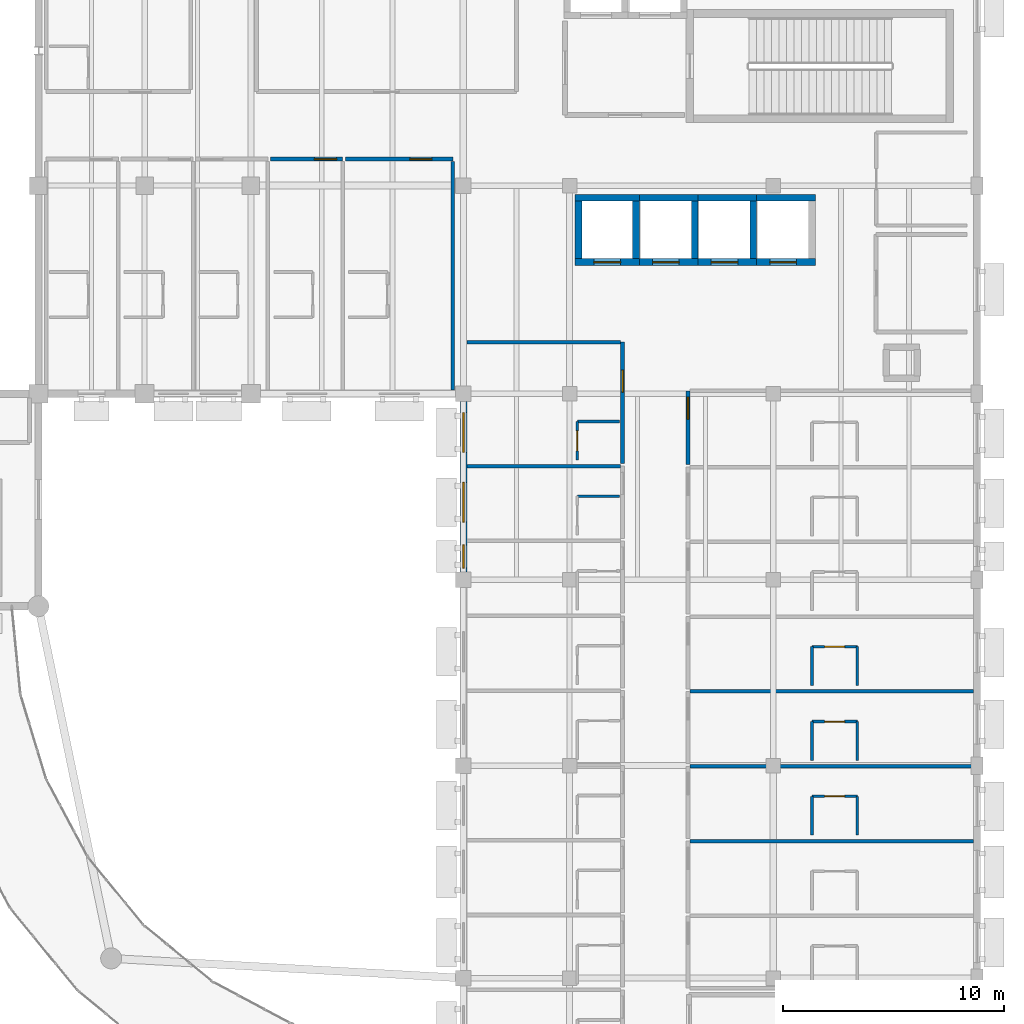
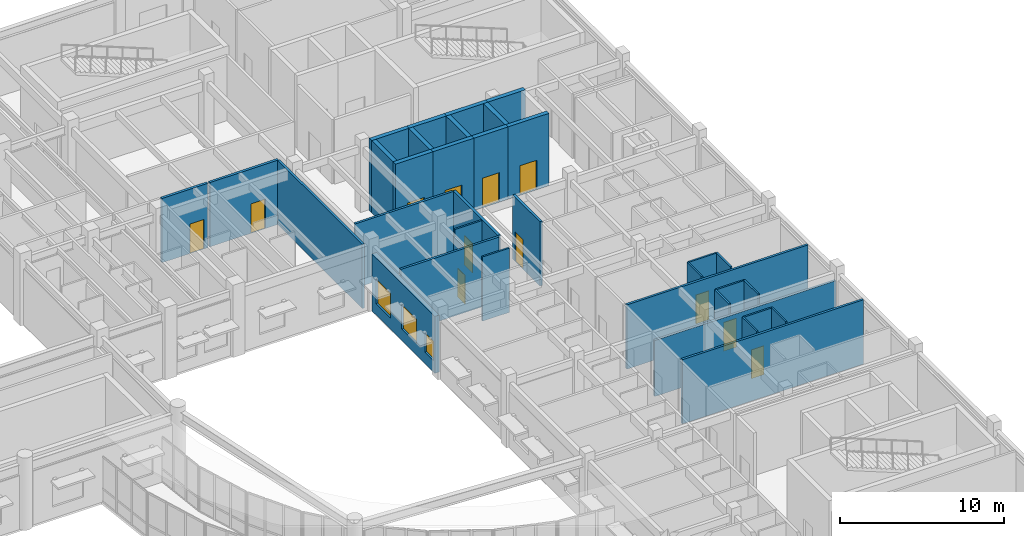
# One storey, part 54 of 68: 35 walls, 12 doors, 3 windows, 15 openings.
"""IFC4 building model written with IfcOpenShell, lengths in metres."""

import ifcopenshell
import ifcopenshell.guid

model = None  # the IFC model being written
_history = None  # IfcOwnerHistory: only IFC2X3 demands one
_inside = {}  # id of a spatial element -> (the spatial element, [elements in it])
_under = {}  # id of a project, library or spatial element -> (it, [spatial elements below it])
_declared = {}  # id of a project -> (the project, [libraries it declares])
_typed = {}  # id of a type object -> (the type object, [elements of that type])
_made_of = {}  # id of a material, layer set ... -> (it, [elements and type objects made of it])


def new_model(schema):
    """Start an empty IFC model of exactly this schema.

    Asked for "IFC4X3", IfcOpenShell would pick the latest addendum, in which some entities
    have other attributes; the version numbers below select the first issue.
    IFC2X3 requires an IfcOwnerHistory on every rooted entity: one is made here for all.
    """
    global model, _history
    if schema == "IFC4X3":
        model = ifcopenshell.file(schema_version=(4, 3, 0, 0))
    else:
        model = ifcopenshell.file(schema=schema)
    _inside.clear()
    _under.clear()
    _declared.clear()
    _typed.clear()
    _made_of.clear()
    _history = None
    if model.schema == "IFC2X3":
        org = make("IfcOrganization", Name="unknown")
        user = make(
            "IfcPersonAndOrganization",
            ThePerson=make("IfcPerson", FamilyName="unknown"),
            TheOrganization=org,
        )
        app = make(
            "IfcApplication",
            ApplicationDeveloper=org,
            Version="unknown",
            ApplicationFullName="unknown",
            ApplicationIdentifier="unknown",
        )
        _history = make(
            "IfcOwnerHistory",
            OwningUser=user,
            OwningApplication=app,
            ChangeAction="ADDED",
            CreationDate=0,
        )
    return model


def make(cls, **values):
    """One entity of the class cls with the attributes given. An attribute that is None is left unset."""
    return model.create_entity(
        cls, **{name: value for name, value in values.items() if value is not None}
    )


def rooted(cls, **values):
    """An entity with a GlobalId (a new one), such as an element, a storey or a relation."""
    return make(cls, GlobalId=ifcopenshell.guid.new(), OwnerHistory=_history, **values)


def si_unit(unit_type, name, prefix=None):
    """IfcSIUnit, for example si_unit("LENGTHUNIT", "METRE", prefix="MILLI")."""
    return make("IfcSIUnit", UnitType=unit_type, Prefix=prefix, Name=name)


def assignment(units):
    """IfcUnitAssignment: the units of a project."""
    return None if units is None else make("IfcUnitAssignment", Units=units)


def point(xyz):
    """IfcCartesianPoint."""
    return None if xyz is None else make("IfcCartesianPoint", Coordinates=xyz)


def direction(xyz):
    """IfcDirection."""
    return None if xyz is None else make("IfcDirection", DirectionRatios=xyz)


def frame(location, z_axis=None, x_axis=None):
    """IfcAxis2Placement3D, a coordinate frame: its origin and axes. An axis left out is left unset."""
    return make(
        "IfcAxis2Placement3D",
        Location=point(location),
        Axis=direction(z_axis),
        RefDirection=direction(x_axis),
    )


def frame_2d(location, x_axis=None):
    """IfcAxis2Placement2D, a coordinate frame in the plane: its origin and x axis."""
    return make(
        "IfcAxis2Placement2D", Location=point(location), RefDirection=direction(x_axis)
    )


def origin():
    """The frame at (0, 0, 0) with its axes left unset."""
    return frame((0.0, 0.0, 0.0))


def place(relative_to, where):
    """IfcLocalPlacement: puts the frame where relative to a parent placement (None: the world)."""
    return make(
        "IfcLocalPlacement", PlacementRelTo=relative_to, RelativePlacement=where
    )


def context(
    kind, dimensions, precision=None, world=None, true_north=None, identifier=None
):
    """IfcGeometricRepresentationContext, for example the 3D "Model" context."""
    return make(
        "IfcGeometricRepresentationContext",
        ContextIdentifier=identifier,
        ContextType=kind,
        CoordinateSpaceDimension=dimensions,
        Precision=precision,
        WorldCoordinateSystem=world,
        TrueNorth=true_north,
    )


def subcontext(parent, identifier, kind, view, scale=None):
    """IfcGeometricRepresentationSubContext, for example "Body" below "Model"."""
    return make(
        "IfcGeometricRepresentationSubContext",
        ContextIdentifier=identifier,
        ContextType=kind,
        ParentContext=parent,
        TargetScale=scale,
        TargetView=view,
    )


def project(units=None, contexts=None):
    """IfcProject with its units and contexts."""
    return rooted(
        "IfcProject",
        Name="project",
        RepresentationContexts=contexts,
        UnitsInContext=assignment(units),
    )


def spatial(cls, under=None, at=None, **own):
    """A site, building, storey or space (cls), placed at a placement, below another one or the project."""
    s = rooted(cls, ObjectPlacement=at, **own)
    if under is not None:
        _under.setdefault(under.id(), (under, []))[1].append(s)
    return s


def profile(cls, at=None, kind="AREA", **sizes):
    """A parametric profile (cls). Its sizes go by their IFC names, for example OverallWidth=200.0."""
    return make(cls, ProfileType=kind, Position=at, **sizes)


def rectangle(**sizes):
    """IfcRectangleProfileDef."""
    return profile("IfcRectangleProfileDef", **sizes)


def extrude(swept, where, along, depth):
    """IfcExtrudedAreaSolid: the profile swept, set in the frame where, extruded along a direction by depth."""
    return make(
        "IfcExtrudedAreaSolid",
        SweptArea=swept,
        Position=where,
        ExtrudedDirection=direction(along),
        Depth=depth,
    )


def shape(context_of_items, identifier, shape_type, items):
    """IfcShapeRepresentation: the items that make up one representation, for example the "Body"."""
    return make(
        "IfcShapeRepresentation",
        ContextOfItems=context_of_items,
        RepresentationIdentifier=identifier,
        RepresentationType=shape_type,
        Items=items,
    )


def material(Name=None, Category=None):
    """IfcMaterial."""
    return make("IfcMaterial", Name=Name, Category=Category)


def layer(
    of_material, thickness, ventilated=None, Name=None, Category=None, Priority=None
):
    """IfcMaterialLayer: one layer of a wall or slab, of a material (None: an air gap)."""
    return make(
        "IfcMaterialLayer",
        Material=of_material,
        LayerThickness=thickness,
        IsVentilated=ventilated,
        Name=Name,
        Category=Category,
        Priority=Priority,
    )


def layer_set(layers, Name=None):
    """IfcMaterialLayerSet."""
    return make("IfcMaterialLayerSet", MaterialLayers=layers, LayerSetName=Name)


def made_of(thing, what):
    """Note that an element or type object is made of a material, layer set ...; save() writes the relation."""
    if what is not None:
        _made_of.setdefault(what.id(), (what, []))[1].append(thing)
    return thing


def type_object(cls, material=None, **own):
    """A type object (cls), such as IfcWallType, which elements share."""
    return made_of(rooted(cls, **own), material)


def element(
    cls,
    number,
    at=None,
    inside=None,
    cuts=None,
    type_object=None,
    material=None,
    context=None,
    identifier="Body",
    shape_type=None,
    held_by="IfcProductDefinitionShape",
    body=None,
    shapes=None,
    **own,
):
    """One element of the class cls, such as IfcWall. Its Tag is "e" and its number.

    at: its placement. inside: the storey or other place that contains it. cuts: it is an
    opening in that element (IfcRelVoidsElement). A single representation is given by context,
    identifier, shape_type and body (its items); several are given by shapes. held_by: the class
    of the entity that holds the representations. save() writes the other relations.
    """
    e = rooted(cls, Tag="e%d" % number, ObjectPlacement=at, **own)
    if body is not None:
        shapes = [shape(context, identifier, shape_type, body)]
    if shapes is not None:
        e.Representation = make(held_by, Representations=shapes)
    if inside is not None:
        _inside.setdefault(inside.id(), (inside, []))[1].append(e)
    if cuts is not None:
        rooted(
            "IfcRelVoidsElement", RelatingBuildingElement=cuts, RelatedOpeningElement=e
        )
    if type_object is not None:
        _typed.setdefault(type_object.id(), (type_object, []))[1].append(e)
    return made_of(e, material)


def fill(opening, filler):
    """IfcRelFillsElement: the door or window that sits in an opening."""
    return rooted(
        "IfcRelFillsElement",
        RelatingOpeningElement=opening,
        RelatedBuildingElement=filler,
    )


def aggregate(whole, parts):
    """IfcRelAggregates: a whole, such as a stair, and the parts it consists of."""
    return rooted("IfcRelAggregates", RelatingObject=whole, RelatedObjects=parts)


def save(model, path):
    """Write the relations noted so far, then the file.

    IfcRelAggregates (storeys below a building ...), IfcRelContainedInSpatialStructure (elements
    in a storey), IfcRelDefinesByType, IfcRelAssociatesMaterial and IfcRelDeclares: one each for
    every whole, place, type object, material and project.
    """
    for whole, parts in _under.values():
        aggregate(whole, parts)
    for where, things in _inside.values():
        rooted(
            "IfcRelContainedInSpatialStructure",
            RelatedElements=things,
            RelatingStructure=where,
        )
    for kind, things in _typed.values():
        rooted("IfcRelDefinesByType", RelatedObjects=things, RelatingType=kind)
    for what, things in _made_of.values():
        rooted("IfcRelAssociatesMaterial", RelatedObjects=things, RelatingMaterial=what)
    for by, libraries in _declared.values():
        rooted("IfcRelDeclares", RelatingContext=by, RelatedDefinitions=libraries)
    model.write(path)


model = new_model("IFC4")

# Units and contexts
model_context = context("Model", 3, precision=1e-05, world=origin(), true_north=direction((0.0, 1.0)))
body_context = subcontext(model_context, "Body", "Model", "MODEL_VIEW")
ifc_project = project(units=[si_unit("LENGTHUNIT", "METRE"), si_unit("AREAUNIT", "SQUARE_METRE"), si_unit("VOLUMEUNIT", "CUBIC_METRE"), si_unit("PLANEANGLEUNIT", "RADIAN"), si_unit("MASSUNIT", "GRAM", prefix="KILO")], contexts=[model_context])

# Site, building, storey
site_placement = place(None, origin())
site = spatial("IfcSite", under=ifc_project, at=site_placement, CompositionType="ELEMENT")
building_placement = place(site_placement, origin())
building = spatial("IfcBuilding", under=site, at=building_placement, Name="Veldera Park Congress Hotel", CompositionType="ELEMENT")
storey_placement = place(building_placement, frame((0.0, 0.0, 10.800048828125)))
storey = spatial("IfcBuildingStorey", under=building, at=storey_placement, Name="L02", CompositionType="ELEMENT", Elevation=10.800048828125)

# Wall, openings, windows
ifc_material_1 = material(Name="Cross-laminated timber CLT V2M1.1", Category="wood")
ifc_layer_1 = layer(ifc_material_1, 0.320068359375)
ifc_layer_set_1 = layer_set([ifc_layer_1], Name="Cross-laminated timber CLT V2M1.1")
wall_type_1 = type_object("IfcWallType", Name="EW-CLT320", PredefinedType="STANDARD", material=ifc_layer_set_1)
wall_1_placement = place(storey_placement, frame((60.800048828125, 26.652099609375, 0.0), z_axis=(0.0, 0.0, 1.0), x_axis=(0.0, -1.0, 0.0)))
wall_1 = element("IfcWall", 1, at=wall_1_placement, inside=storey, type_object=wall_type_1, Name="L02 Exterior Wall EW3-L02-0198", PredefinedType="STANDARD", context=body_context, shape_type="SweptSolid", body=[
    extrude(rectangle(XDim=7.7041015625, YDim=0.320068359375, at=frame_2d((3.85205078125, 0.0))), origin(), (0.0, 0.0, 1.0), 4.2548828125),
])
opening_1_placement = place(wall_1_placement, frame((6.47802734375, 0.0, 0.85009765625)))
opening_1 = element("IfcOpeningElement", 2, at=opening_1_placement, cuts=wall_1, Name="Opening WIN-1050", PredefinedType="OPENING", context=body_context, shape_type="SweptSolid", body=[
    extrude(rectangle(XDim=1.050048828125, YDim=1.449951171875, at=frame_2d((0.52490234375, 0.72509765625))), frame((0.0, 0.172119140625, 0.0), z_axis=(0.0, -1.0, 0.0), x_axis=(1.0, 0.0, 0.0)), (0.0, 0.0, 1.0), 0.343994140625),
])
opening_2_placement = place(wall_1_placement, frame((3.652099609375, 0.0, 0.85009765625)))
opening_2 = element("IfcOpeningElement", 3, at=opening_2_placement, cuts=wall_1, Name="Opening WIN-1800", PredefinedType="OPENING", context=body_context, shape_type="SweptSolid", body=[
    extrude(rectangle(XDim=1.800048828125, YDim=1.85009765625, at=frame_2d((0.89990234375, 0.925048828125))), frame((0.0, 0.172119140625, 0.0), z_axis=(0.0, -1.0, 0.0), x_axis=(1.0, 0.0, 0.0)), (0.0, 0.0, 1.0), 0.343994140625),
])
opening_3_placement = place(wall_1_placement, frame((0.5009765625, 0.0, 0.85009765625)))
opening_3 = element("IfcOpeningElement", 4, at=opening_3_placement, cuts=wall_1, Name="Opening WIN-1800", PredefinedType="OPENING", context=body_context, shape_type="SweptSolid", body=[
    extrude(rectangle(XDim=1.800048828125, YDim=1.85009765625, at=frame_2d((0.89990234375, 0.925048828125))), frame((0.0, 0.172119140625, 0.0), z_axis=(0.0, -1.0, 0.0), x_axis=(1.0, 0.0, 0.0)), (0.0, 0.0, 1.0), 0.343994140625),
])
ifc_material_2 = material(Name="Low-E Triple Insulating Glass Unit (SHGC 0.22)", Category="glass")
window_type_1 = type_object("IfcWindowType", Name="WIN-1050", PartitioningType="SINGLE_PANEL", PredefinedType="WINDOW", material=ifc_material_2)
window_1_placement = place(opening_1_placement, origin())
window_1 = element("IfcWindow", 5, at=window_1_placement, inside=storey, type_object=window_type_1, Name="L02 Window WIN-1050 374", OverallHeight=1.449951171875, OverallWidth=1.050048828125, PartitioningType="SINGLE_PANEL", PredefinedType="WINDOW", context=body_context, shape_type="SweptSolid", body=[
    extrude(rectangle(XDim=1.050048828125, YDim=1.449951171875, at=frame_2d((0.52490234375, 0.72509765625))), frame((0.0, 0.030029296875, 0.0), z_axis=(0.0, -1.0, 0.0), x_axis=(1.0, 0.0, 0.0)), (0.0, 0.0, 1.0), 0.06005859375),
])
fill(opening_1, window_1)
window_type_2 = type_object("IfcWindowType", Name="WIN-1800", PartitioningType="SINGLE_PANEL", PredefinedType="WINDOW", material=ifc_material_2)
window_2_placement = place(opening_2_placement, origin())
window_2 = element("IfcWindow", 6, at=window_2_placement, inside=storey, type_object=window_type_2, Name="L02 Window WIN-1800 375", OverallHeight=1.85009765625, OverallWidth=1.800048828125, PartitioningType="SINGLE_PANEL", PredefinedType="WINDOW", context=body_context, shape_type="SweptSolid", body=[
    extrude(rectangle(XDim=1.800048828125, YDim=1.85009765625, at=frame_2d((0.89990234375, 0.925048828125))), frame((0.0, 0.030029296875, 0.0), z_axis=(0.0, -1.0, 0.0), x_axis=(1.0, 0.0, 0.0)), (0.0, 0.0, 1.0), 0.06005859375),
])
fill(opening_2, window_2)
window_3_placement = place(opening_3_placement, origin())
window_3 = element("IfcWindow", 7, at=window_3_placement, inside=storey, type_object=window_type_2, Name="L02 Window WIN-1800 376", OverallHeight=1.85009765625, OverallWidth=1.800048828125, PartitioningType="SINGLE_PANEL", PredefinedType="WINDOW", context=body_context, shape_type="SweptSolid", body=[
    extrude(rectangle(XDim=1.800048828125, YDim=1.85009765625, at=frame_2d((0.89990234375, 0.925048828125))), frame((0.0, 0.030029296875, 0.0), z_axis=(0.0, -1.0, 0.0), x_axis=(1.0, 0.0, 0.0)), (0.0, 0.0, 1.0), 0.06005859375),
])
fill(opening_3, window_3)

# Wall
ifc_material_3 = material(Name="Fire-Rated Gypsum Board on Cold-Formed Steel Studs", Category="steel")
ifc_layer_2 = layer(ifc_material_3, 0.1201171875)
ifc_layer_set_2 = layer_set([ifc_layer_2], Name="Fire-Rated Gypsum Board on Cold-Formed Steel Studs")
wall_type_2 = type_object("IfcWallType", Name="IW-BATH120", PredefinedType="PARTITIONING", material=ifc_layer_set_2)
wall_2_placement = place(storey_placement, frame((65.949951171875, 22.3701171875, 0.0), z_axis=(0.0, 0.0, 1.0), x_axis=(1.0, 0.0, 0.0)))
element("IfcWall", 8, at=wall_2_placement, inside=storey, type_object=wall_type_2, Name="L02 Partition Wall IW3-L02-00443", PredefinedType="PARTITIONING", context=body_context, shape_type="SweptSolid", body=[
    extrude(rectangle(XDim=1.900146484375, YDim=0.1201171875, at=frame_2d((0.9501953125, 0.0))), origin(), (0.0, 0.0, 1.0), 4.800048828125),
])

# Wall, opening, door
wall_3_placement = place(storey_placement, frame((65.949951171875, 24.0, 0.0), z_axis=(0.0, 0.0, 1.0), x_axis=(0.0, 1.0, 0.0)))
wall_3 = element("IfcWall", 9, at=wall_3_placement, inside=storey, type_object=wall_type_2, Name="L02 Partition Wall IW3-L02-00446", PredefinedType="PARTITIONING", context=body_context, shape_type="SweptSolid", body=[
    extrude(rectangle(XDim=1.75, YDim=0.1201171875, at=frame_2d((0.875, 0.0))), origin(), (0.0, 0.0, 1.0), 4.2548828125),
])
opening_4_placement = place(wall_3_placement, frame((0.425048828125, 0.0, 0.0)))
opening_4 = element("IfcOpeningElement", 10, at=opening_4_placement, cuts=wall_3, Name="Opening ID-BATH090", PredefinedType="OPENING", context=body_context, shape_type="SweptSolid", body=[
    extrude(rectangle(XDim=0.89990234375, YDim=2.14990234375, at=frame_2d((0.449951171875, 1.074951171875))), frame((0.0, 0.072021484375, 0.0), z_axis=(0.0, -1.0, 0.0), x_axis=(1.0, 0.0, 0.0)), (0.0, 0.0, 1.0), 0.14404296875),
])
ifc_material_4 = material(Name="Solid Core White Oak Architectural Door", Category="wood")
door_type_1 = type_object("IfcDoorType", Name="ID-BATH090", OperationType="NOTDEFINED", PredefinedType="DOOR", material=ifc_material_4)
door_1_placement = place(opening_4_placement, origin())
door_1 = element("IfcDoor", 11, at=door_1_placement, inside=storey, type_object=door_type_1, Name="L02 En-suite 021 Door ID3-L02-0181 (DR3-ID3-L02-0181)", OperationType="SINGLE_SWING_LEFT", OverallHeight=2.14990234375, OverallWidth=0.89990234375, PredefinedType="DOOR", context=body_context, shape_type="SweptSolid", body=[
    extrude(rectangle(XDim=0.89990234375, YDim=2.14990234375, at=frame_2d((0.449951171875, 1.074951171875))), frame((0.0, 0.02490234375, 0.0), z_axis=(0.0, -1.0, 0.0), x_axis=(1.0, 0.0, 0.0)), (0.0, 0.0, 1.0), 0.050048828125),
])
fill(opening_4, door_1)

# Walls
wall_4_placement = place(storey_placement, frame((65.949951171875, 25.75, 0.0), z_axis=(0.0, 0.0, 1.0), x_axis=(1.0, 0.0, 0.0)))
element("IfcWall", 12, at=wall_4_placement, inside=storey, type_object=wall_type_2, Name="L02 Partition Wall IW3-L02-00447", PredefinedType="PARTITIONING", context=body_context, shape_type="SweptSolid", body=[
    extrude(rectangle(XDim=1.900146484375, YDim=0.1201171875, at=frame_2d((0.9501953125, 0.0))), origin(), (0.0, 0.0, 1.0), 4.800048828125),
])
for number, where, z_axis, x_axis, name in (
    (13, (76.550048828125, 7.06005859375, 0.0), (0.0, 0.0, 1.0), (0.0, 1.0, 0.0), "L02 Partition Wall IW3-L02-00517"),
    (14, (78.60009765625, 7.06005859375, 0.0), (0.0, 0.0, 1.0), (0.0, 1.0, 0.0), "L02 Partition Wall IW3-L02-00518"),
):
    element("IfcWall", number, at=place(storey_placement, frame(where, z_axis=z_axis, x_axis=x_axis)), inside=storey, type_object=wall_type_2, Name=name, PredefinedType="PARTITIONING", context=body_context, shape_type="SweptSolid", body=[
        extrude(rectangle(XDim=1.75, YDim=0.1201171875, at=frame_2d((0.875, 0.0))), origin(), (0.0, 0.0, 1.0), 4.800048828125),
    ])

# Wall, opening, door
wall_5_placement = place(storey_placement, frame((76.550048828125, 8.81005859375, 0.0), z_axis=(0.0, 0.0, 1.0), x_axis=(1.0, 0.0, 0.0)))
wall_5 = element("IfcWall", 15, at=wall_5_placement, inside=storey, type_object=wall_type_2, Name="L02 Partition Wall IW3-L02-00519", PredefinedType="PARTITIONING", context=body_context, shape_type="SweptSolid", body=[
    extrude(rectangle(XDim=2.050048828125, YDim=0.1201171875, at=frame_2d((1.02490234375, 0.0))), origin(), (0.0, 0.0, 1.0), 4.800048828125),
])
opening_5_placement = place(wall_5_placement, frame((0.574951171875, 0.0, 0.0)))
opening_5 = element("IfcOpeningElement", 16, at=opening_5_placement, cuts=wall_5, Name="Opening ID-BATH090", PredefinedType="OPENING", context=body_context, shape_type="SweptSolid", body=[
    extrude(rectangle(XDim=0.89990234375, YDim=2.14990234375, at=frame_2d((0.449951171875, 1.074951171875))), frame((0.0, 0.072021484375, 0.0), z_axis=(0.0, -1.0, 0.0), x_axis=(1.0, 0.0, 0.0)), (0.0, 0.0, 1.0), 0.14404296875),
])
door_2_placement = place(opening_5_placement, origin())
door_2 = element("IfcDoor", 17, at=door_2_placement, inside=storey, type_object=door_type_1, Name="L02 En-suite 035 Door ID3-L02-0209 (DR3-ID3-L02-0209)", OperationType="SINGLE_SWING_LEFT", OverallHeight=2.14990234375, OverallWidth=0.89990234375, PredefinedType="DOOR", context=body_context, shape_type="SweptSolid", body=[
    extrude(rectangle(XDim=0.89990234375, YDim=2.14990234375, at=frame_2d((0.449951171875, 1.074951171875))), frame((0.0, 0.02490234375, 0.0), z_axis=(0.0, -1.0, 0.0), x_axis=(1.0, 0.0, 0.0)), (0.0, 0.0, 1.0), 0.050048828125),
])
fill(opening_5, door_2)

# Walls
for number, where, z_axis, x_axis, name in (
    (18, (76.550048828125, 10.43994140625, 0.0), (0.0, 0.0, 1.0), (0.0, 1.0, 0.0), "L02 Partition Wall IW3-L02-00522"),
    (19, (78.60009765625, 10.43994140625, 0.0), (0.0, 0.0, 1.0), (0.0, 1.0, 0.0), "L02 Partition Wall IW3-L02-00523"),
):
    element("IfcWall", number, at=place(storey_placement, frame(where, z_axis=z_axis, x_axis=x_axis)), inside=storey, type_object=wall_type_2, Name=name, PredefinedType="PARTITIONING", context=body_context, shape_type="SweptSolid", body=[
        extrude(rectangle(XDim=1.75, YDim=0.1201171875, at=frame_2d((0.875, 0.0))), origin(), (0.0, 0.0, 1.0), 4.800048828125),
    ])

# Wall, opening, door
wall_6_placement = place(storey_placement, frame((76.550048828125, 12.18994140625, 0.0), z_axis=(0.0, 0.0, 1.0), x_axis=(1.0, 0.0, 0.0)))
wall_6 = element("IfcWall", 20, at=wall_6_placement, inside=storey, type_object=wall_type_2, Name="L02 Partition Wall IW3-L02-00524", PredefinedType="PARTITIONING", context=body_context, shape_type="SweptSolid", body=[
    extrude(rectangle(XDim=2.050048828125, YDim=0.1201171875, at=frame_2d((1.02490234375, 0.0))), origin(), (0.0, 0.0, 1.0), 4.800048828125),
])
opening_6_placement = place(wall_6_placement, frame((0.574951171875, 0.0, 0.0)))
opening_6 = element("IfcOpeningElement", 21, at=opening_6_placement, cuts=wall_6, Name="Opening ID-BATH090", PredefinedType="OPENING", context=body_context, shape_type="SweptSolid", body=[
    extrude(rectangle(XDim=0.89990234375, YDim=2.14990234375, at=frame_2d((0.449951171875, 1.074951171875))), frame((0.0, 0.072021484375, 0.0), z_axis=(0.0, -1.0, 0.0), x_axis=(1.0, 0.0, 0.0)), (0.0, 0.0, 1.0), 0.14404296875),
])
door_3_placement = place(opening_6_placement, origin())
door_3 = element("IfcDoor", 22, at=door_3_placement, inside=storey, type_object=door_type_1, Name="L02 En-suite 036 Door ID3-L02-0211 (DR3-ID3-L02-0211)", OperationType="SINGLE_SWING_LEFT", OverallHeight=2.14990234375, OverallWidth=0.89990234375, PredefinedType="DOOR", context=body_context, shape_type="SweptSolid", body=[
    extrude(rectangle(XDim=0.89990234375, YDim=2.14990234375, at=frame_2d((0.449951171875, 1.074951171875))), frame((0.0, 0.02490234375, 0.0), z_axis=(0.0, -1.0, 0.0), x_axis=(1.0, 0.0, 0.0)), (0.0, 0.0, 1.0), 0.050048828125),
])
fill(opening_6, door_3)

# Walls
for number, where, z_axis, x_axis, name in (
    (23, (76.550048828125, 13.820068359375, 0.0), (0.0, 0.0, 1.0), (0.0, 1.0, 0.0), "L02 Partition Wall IW3-L02-00527"),
    (24, (78.60009765625, 13.820068359375, 0.0), (0.0, 0.0, 1.0), (0.0, 1.0, 0.0), "L02 Partition Wall IW3-L02-00528"),
):
    element("IfcWall", number, at=place(storey_placement, frame(where, z_axis=z_axis, x_axis=x_axis)), inside=storey, type_object=wall_type_2, Name=name, PredefinedType="PARTITIONING", context=body_context, shape_type="SweptSolid", body=[
        extrude(rectangle(XDim=1.75, YDim=0.1201171875, at=frame_2d((0.875, 0.0))), origin(), (0.0, 0.0, 1.0), 4.800048828125),
    ])

# Wall, opening, door
wall_7_placement = place(storey_placement, frame((76.550048828125, 15.570068359375, 0.0), z_axis=(0.0, 0.0, 1.0), x_axis=(1.0, 0.0, 0.0)))
wall_7 = element("IfcWall", 25, at=wall_7_placement, inside=storey, type_object=wall_type_2, Name="L02 Partition Wall IW3-L02-00529", PredefinedType="PARTITIONING", context=body_context, shape_type="SweptSolid", body=[
    extrude(rectangle(XDim=2.050048828125, YDim=0.1201171875, at=frame_2d((1.02490234375, 0.0))), origin(), (0.0, 0.0, 1.0), 4.800048828125),
])
opening_7_placement = place(wall_7_placement, frame((0.574951171875, 0.0, 0.0)))
opening_7 = element("IfcOpeningElement", 26, at=opening_7_placement, cuts=wall_7, Name="Opening ID-BATH090", PredefinedType="OPENING", context=body_context, shape_type="SweptSolid", body=[
    extrude(rectangle(XDim=0.89990234375, YDim=2.14990234375, at=frame_2d((0.449951171875, 1.074951171875))), frame((0.0, 0.072021484375, 0.0), z_axis=(0.0, -1.0, 0.0), x_axis=(1.0, 0.0, 0.0)), (0.0, 0.0, 1.0), 0.14404296875),
])
door_4_placement = place(opening_7_placement, origin())
door_4 = element("IfcDoor", 27, at=door_4_placement, inside=storey, type_object=door_type_1, Name="L02 En-suite 037 Door ID3-L02-0213 (DR3-ID3-L02-0213)", OperationType="SINGLE_SWING_LEFT", OverallHeight=2.14990234375, OverallWidth=0.89990234375, PredefinedType="DOOR", context=body_context, shape_type="SweptSolid", body=[
    extrude(rectangle(XDim=0.89990234375, YDim=2.14990234375, at=frame_2d((0.449951171875, 1.074951171875))), frame((0.0, 0.02490234375, 0.0), z_axis=(0.0, -1.0, 0.0), x_axis=(1.0, 0.0, 0.0)), (0.0, 0.0, 1.0), 0.050048828125),
])
fill(opening_7, door_4)

ifc_layer_3 = layer(ifc_material_3, 0.179931640625)
ifc_layer_set_3 = layer_set([ifc_layer_3], Name="Fire-Rated Gypsum Board on Cold-Formed Steel Studs")
wall_type_3 = type_object("IfcWallType", Name="IW-CORR180", PredefinedType="PARTITIONING", material=ifc_layer_set_3)
wall_8_placement = place(storey_placement, frame((68.0, 23.85009765625, 0.0), z_axis=(0.0, 0.0, 1.0), x_axis=(0.0, 1.0, 0.0)))
wall_8 = element("IfcWall", 28, at=wall_8_placement, inside=storey, type_object=wall_type_3, Name="L02 Corridor Wall IW3-L02-00444", PredefinedType="PARTITIONING", context=body_context, shape_type="SweptSolid", body=[
    extrude(rectangle(XDim=5.47998046875, YDim=0.179931640625, at=frame_2d((2.739990234375, 0.0))), origin(), (0.0, 0.0, 1.0), 4.800048828125),
])
opening_8_placement = place(wall_8_placement, frame((3.219970703125, 0.0, 0.0)))
opening_8 = element("IfcOpeningElement", 29, at=opening_8_placement, cuts=wall_8, Name="Opening ID-UNIT100", PredefinedType="OPENING", context=body_context, shape_type="SweptSolid", body=[
    extrude(rectangle(XDim=1.0, YDim=2.199951171875, at=frame_2d((0.5, 1.10009765625))), frame((0.0, 0.10205078125, 0.0), z_axis=(0.0, -1.0, 0.0), x_axis=(1.0, 0.0, 0.0)), (0.0, 0.0, 1.0), 0.203857421875),
])
door_type_2 = type_object("IfcDoorType", Name="ID-UNIT100", OperationType="NOTDEFINED", PredefinedType="DOOR", material=ifc_material_4)
door_5_placement = place(opening_8_placement, origin())
door_5 = element("IfcDoor", 30, at=door_5_placement, inside=storey, type_object=door_type_2, Name="L02 Guestroom 021 Entry Door (DR3-UD3-L02-021)", OperationType="SINGLE_SWING_RIGHT", OverallHeight=2.199951171875, OverallWidth=1.0, PredefinedType="DOOR", context=body_context, shape_type="SweptSolid", body=[
    extrude(rectangle(XDim=1.0, YDim=2.199951171875, at=frame_2d((0.5, 1.10009765625))), frame((0.0, 0.02490234375, 0.0), z_axis=(0.0, -1.0, 0.0), x_axis=(1.0, 0.0, 0.0)), (0.0, 0.0, 1.0), 0.050048828125),
])
fill(opening_8, door_5)

wall_9_placement = place(storey_placement, frame((70.949951171875, 27.1298828125, 0.0), z_axis=(0.0, 0.0, 1.0), x_axis=(0.0, -1.0, 0.0)))
wall_9 = element("IfcWall", 31, at=wall_9_placement, inside=storey, type_object=wall_type_3, Name="L02 Corridor Wall IW3-L02-00540", PredefinedType="PARTITIONING", context=body_context, shape_type="SweptSolid", body=[
    extrude(rectangle(XDim=3.31982421875, YDim=0.179931640625, at=frame_2d((1.659912109375, 0.0))), origin(), (0.0, 0.0, 1.0), 4.800048828125),
])
opening_9_placement = place(wall_9_placement, frame((0.280029296875, 0.0, 0.0)))
opening_9 = element("IfcOpeningElement", 32, at=opening_9_placement, cuts=wall_9, Name="Opening ID-UNIT100", PredefinedType="OPENING", context=body_context, shape_type="SweptSolid", body=[
    extrude(rectangle(XDim=1.0, YDim=2.199951171875, at=frame_2d((0.5, 1.10009765625))), frame((0.0, 0.10205078125, 0.0), z_axis=(0.0, -1.0, 0.0), x_axis=(1.0, 0.0, 0.0)), (0.0, 0.0, 1.0), 0.203857421875),
])
door_6_placement = place(opening_9_placement, origin())
door_6 = element("IfcDoor", 33, at=door_6_placement, inside=storey, type_object=door_type_2, Name="L02 Guestroom 040 Entry Door (DR3-UD3-L02-040)", OperationType="SINGLE_SWING_RIGHT", OverallHeight=2.199951171875, OverallWidth=1.0, PredefinedType="DOOR", context=body_context, shape_type="SweptSolid", body=[
    extrude(rectangle(XDim=1.0, YDim=2.199951171875, at=frame_2d((0.5, 1.10009765625))), frame((0.0, 0.02490234375, 0.0), z_axis=(0.0, -1.0, 0.0), x_axis=(1.0, 0.0, 0.0)), (0.0, 0.0, 1.0), 0.050048828125),
])
fill(opening_9, door_6)

wall_10_placement = place(storey_placement, frame((55.35009765625, 37.60009765625, 0.0), z_axis=(0.0, 0.0, 1.0), x_axis=(-1.0, 0.0, 0.0)))
wall_10 = element("IfcWall", 34, at=wall_10_placement, inside=storey, type_object=wall_type_3, Name="L02 Corridor Wall IW3-L02-00561", PredefinedType="PARTITIONING", context=body_context, shape_type="SweptSolid", body=[
    extrude(rectangle(XDim=3.260009765625, YDim=0.179931640625, at=frame_2d((1.6298828125, 0.0))), origin(), (0.0, 0.0, 1.0), 4.800048828125),
])
opening_10_placement = place(wall_10_placement, frame((0.280029296875, 0.0, 0.0)))
opening_10 = element("IfcOpeningElement", 35, at=opening_10_placement, cuts=wall_10, Name="Opening ID-UNIT100", PredefinedType="OPENING", context=body_context, shape_type="SweptSolid", body=[
    extrude(rectangle(XDim=1.0, YDim=2.199951171875, at=frame_2d((0.5, 1.10009765625))), frame((0.0, 0.10205078125, 0.0), z_axis=(0.0, -1.0, 0.0), x_axis=(1.0, 0.0, 0.0)), (0.0, 0.0, 1.0), 0.203857421875),
])
door_7_placement = place(opening_10_placement, frame((1.0, 0.0, 0.0), z_axis=(0.0, 0.0, 1.0), x_axis=(-1.0, 0.0, 0.0)))
door_7 = element("IfcDoor", 36, at=door_7_placement, inside=storey, type_object=door_type_2, Name="L02 Guestroom 044 Entry Door (DR3-UD3-L02-044)", OperationType="SINGLE_SWING_RIGHT", OverallHeight=2.199951171875, OverallWidth=1.0, PredefinedType="DOOR", context=body_context, shape_type="SweptSolid", body=[
    extrude(rectangle(XDim=1.0, YDim=2.199951171875, at=frame_2d((0.5, 1.10009765625))), frame((0.0, 0.02490234375, 0.0), z_axis=(0.0, -1.0, 0.0), x_axis=(1.0, 0.0, 0.0)), (0.0, 0.0, 1.0), 0.050048828125),
])
fill(opening_10, door_7)

wall_11_placement = place(storey_placement, frame((60.330078125, 37.60009765625, 0.0), z_axis=(0.0, 0.0, 1.0), x_axis=(-1.0, 0.0, 0.0)))
wall_11 = element("IfcWall", 37, at=wall_11_placement, inside=storey, type_object=wall_type_3, Name="L02 Corridor Wall IW3-L02-00566", PredefinedType="PARTITIONING", context=body_context, shape_type="SweptSolid", body=[
    extrude(rectangle(XDim=4.860107421875, YDim=0.179931640625, at=frame_2d((2.43017578125, 0.0))), origin(), (0.0, 0.0, 1.0), 4.800048828125),
])
opening_11_placement = place(wall_11_placement, frame((0.949951171875, 0.0, 0.0)))
opening_11 = element("IfcOpeningElement", 38, at=opening_11_placement, cuts=wall_11, Name="Opening ID-UNIT100", PredefinedType="OPENING", context=body_context, shape_type="SweptSolid", body=[
    extrude(rectangle(XDim=1.0, YDim=2.199951171875, at=frame_2d((0.5, 1.10009765625))), frame((0.0, 0.10205078125, 0.0), z_axis=(0.0, -1.0, 0.0), x_axis=(1.0, 0.0, 0.0)), (0.0, 0.0, 1.0), 0.203857421875),
])
door_8_placement = place(opening_11_placement, frame((1.0, 0.0, 0.0), z_axis=(0.0, 0.0, 1.0), x_axis=(-1.0, 0.0, 0.0)))
door_8 = element("IfcDoor", 39, at=door_8_placement, inside=storey, type_object=door_type_2, Name="L02 Guestroom 045 Entry Door (DR3-UD3-L02-045)", OperationType="SINGLE_SWING_RIGHT", OverallHeight=2.199951171875, OverallWidth=1.0, PredefinedType="DOOR", context=body_context, shape_type="SweptSolid", body=[
    extrude(rectangle(XDim=1.0, YDim=2.199951171875, at=frame_2d((0.5, 1.10009765625))), frame((0.0, 0.02490234375, 0.0), z_axis=(0.0, -1.0, 0.0), x_axis=(1.0, 0.0, 0.0)), (0.0, 0.0, 1.0), 0.050048828125),
])
fill(opening_11, door_8)

# Walls
ifc_layer_4 = layer(ifc_material_1, 0.159912109375)
ifc_layer_set_4 = layer_set([ifc_layer_4], Name="Cross-laminated timber CLT V2M1.1")
wall_type_4 = type_object("IfcWallType", Name="IW-UNIT160", PredefinedType="PARTITIONING", material=ifc_layer_set_4)
for number, where, z_axis, x_axis, name in (
    (40, (60.9599609375, 23.72998046875, 0.0), (0.0, 0.0, 1.0), (1.0, 0.0, 0.0), "L02 Partition Wall IW3-L02-00441"),
    (41, (60.9599609375, 29.330078125, 0.0), (0.0, 0.0, 1.0), (1.0, 0.0, 0.0), "L02 Partition Wall IW3-L02-00445"),
):
    element("IfcWall", number, at=place(storey_placement, frame(where, z_axis=z_axis, x_axis=x_axis)), inside=storey, type_object=wall_type_4, Name=name, PredefinedType="PARTITIONING", context=body_context, shape_type="SweptSolid", body=[
        extrude(rectangle(XDim=6.93994140625, YDim=0.159912109375, at=frame_2d((3.469970703125, 0.0))), origin(), (0.0, 0.0, 1.0), 4.800048828125),
    ])
wall_12_placement = place(storey_placement, frame((71.050048828125, 6.7900390625, 0.0), z_axis=(0.0, 0.0, 1.0), x_axis=(1.0, 0.0, 0.0)))
element("IfcWall", 42, at=wall_12_placement, inside=storey, type_object=wall_type_4, Name="L02 Partition Wall IW3-L02-00511", PredefinedType="PARTITIONING", context=body_context, shape_type="SweptSolid", body=[
    extrude(rectangle(XDim=12.7900390625, YDim=0.159912109375, at=frame_2d((6.39501953125, 0.0))), origin(), (0.0, 0.0, 1.0), 4.800048828125),
])
wall_13_placement = place(storey_placement, frame((71.050048828125, 10.169921875, 0.0), z_axis=(0.0, 0.0, 1.0), x_axis=(1.0, 0.0, 0.0)))
element("IfcWall", 43, at=wall_13_placement, inside=storey, type_object=wall_type_4, Name="L02 Partition Wall IW3-L02-00516", PredefinedType="PARTITIONING", context=body_context, shape_type="SweptSolid", body=[
    extrude(rectangle(XDim=12.7900390625, YDim=0.159912109375, at=frame_2d((6.39501953125, 0.0))), origin(), (0.0, 0.0, 1.0), 4.175048828125),
])
wall_14_placement = place(storey_placement, frame((71.050048828125, 13.550048828125, 0.0), z_axis=(0.0, 0.0, 1.0), x_axis=(1.0, 0.0, 0.0)))
element("IfcWall", 44, at=wall_14_placement, inside=storey, type_object=wall_type_4, Name="L02 Partition Wall IW3-L02-00521", PredefinedType="PARTITIONING", context=body_context, shape_type="SweptSolid", body=[
    extrude(rectangle(XDim=12.7900390625, YDim=0.159912109375, at=frame_2d((6.39501953125, 0.0))), origin(), (0.0, 0.0, 1.0), 4.800048828125),
])
wall_15_placement = place(storey_placement, frame((60.330078125, 27.159912109375, 0.0), z_axis=(0.0, 0.0, 1.0), x_axis=(0.0, 1.0, 0.0)))
element("IfcWall", 45, at=wall_15_placement, inside=storey, type_object=wall_type_4, Name="L02 Partition Wall IW3-L02-00567", PredefinedType="PARTITIONING", context=body_context, shape_type="SweptSolid", body=[
    extrude(rectangle(XDim=10.340087890625, YDim=0.159912109375, at=frame_2d((5.169921875, 0.0))), origin(), (0.0, 0.0, 1.0), 4.800048828125),
])

# Wall, opening, door
ifc_material_5 = material(Name="Concrete f'c 40 MPa (5,800 psi)", Category="concrete")
ifc_layer_5 = layer(ifc_material_5, 0.300048828125)
ifc_layer_set_5 = layer_set([ifc_layer_5], Name="Concrete f'c 40 MPa (5,800 psi)")
wall_type_5 = type_object("IfcWallType", Name="SW-SHFT300", PredefinedType="SHEAR", material=ifc_layer_set_5)
wall_16_placement = place(storey_placement, frame((65.85009765625, 32.949951171875, 0.0), z_axis=(0.0, 0.0, 1.0), x_axis=(1.0, 0.0, 0.0)))
wall_16 = element("IfcWall", 46, at=wall_16_placement, inside=storey, type_object=wall_type_5, Name="Lift PL-01 Shaft Wall L02-S", PredefinedType="SHEAR", context=body_context, shape_type="SweptSolid", body=[
    extrude(rectangle(XDim=2.89990234375, YDim=0.300048828125, at=frame_2d((1.449951171875, 0.0))), origin(), (0.0, 0.0, 1.0), 5.39990234375),
])
opening_12_placement = place(wall_16_placement, frame((0.85009765625, 0.0, 0.0)))
opening_12 = element("IfcOpeningElement", 47, at=opening_12_placement, cuts=wall_16, Name="Opening LD-120", PredefinedType="OPENING", context=body_context, shape_type="SweptSolid", body=[
    extrude(rectangle(XDim=1.199951171875, YDim=2.199951171875, at=frame_2d((0.60009765625, 1.10009765625))), frame((0.0, 0.162109375, 0.0), z_axis=(0.0, -1.0, 0.0), x_axis=(1.0, 0.0, 0.0)), (0.0, 0.0, 1.0), 0.323974609375),
])
ifc_material_6 = material(Name="Hollow Metal Fire-Rated Steel Door", Category="steel")
door_type_3 = type_object("IfcDoorType", Name="LD-120", OperationType="DOUBLE_DOOR_SLIDING", PredefinedType="DOOR", material=ifc_material_6)
door_9_placement = place(opening_12_placement, origin())
door_9 = element("IfcDoor", 48, at=door_9_placement, inside=storey, type_object=door_type_3, Name="L02 Lift PL-01 Landing Door (DR3-LD-PL-01-L02)", OperationType="DOUBLE_DOOR_SLIDING", OverallHeight=2.199951171875, OverallWidth=1.199951171875, PredefinedType="DOOR", context=body_context, shape_type="SweptSolid", body=[
    extrude(rectangle(XDim=1.199951171875, YDim=2.199951171875, at=frame_2d((0.60009765625, 1.10009765625))), frame((0.0, 0.02490234375, 0.0), z_axis=(0.0, -1.0, 0.0), x_axis=(1.0, 0.0, 0.0)), (0.0, 0.0, 1.0), 0.050048828125),
])
fill(opening_12, door_9)

# Walls
wall_17_placement = place(storey_placement, frame((68.75, 35.85009765625, 0.0), z_axis=(0.0, 0.0, 1.0), x_axis=(-1.0, 0.0, 0.0)))
element("IfcWall", 49, at=wall_17_placement, inside=storey, type_object=wall_type_5, Name="Lift PL-01 Shaft Wall L02-N", PredefinedType="SHEAR", context=body_context, shape_type="SweptSolid", body=[
    extrude(rectangle(XDim=2.89990234375, YDim=0.300048828125, at=frame_2d((1.449951171875, 0.0))), origin(), (0.0, 0.0, 1.0), 5.39990234375),
])
for number, where, z_axis, x_axis, name in (
    (50, (68.60009765625, 33.10009765625, 0.0), (0.0, 0.0, 1.0), (0.0, 1.0, 0.0), "Lift PL-01 Shaft Wall L02-E"),
    (51, (66.0, 35.699951171875, 0.0), (0.0, 0.0, 1.0), (0.0, -1.0, 0.0), "Lift PL-01 Shaft Wall L02-W"),
):
    element("IfcWall", number, at=place(storey_placement, frame(where, z_axis=z_axis, x_axis=x_axis)), inside=storey, type_object=wall_type_5, Name=name, PredefinedType="SHEAR", context=body_context, shape_type="SweptSolid", body=[
        extrude(rectangle(XDim=2.599853515625, YDim=0.300048828125, at=frame_2d((1.2998046875, 0.0))), origin(), (0.0, 0.0, 1.0), 5.39990234375),
    ])

# Wall, opening, door
wall_18_placement = place(storey_placement, frame((68.5, 32.949951171875, 0.0), z_axis=(0.0, 0.0, 1.0), x_axis=(1.0, 0.0, 0.0)))
wall_18 = element("IfcWall", 52, at=wall_18_placement, inside=storey, type_object=wall_type_5, Name="Lift PL-02 Shaft Wall L02-S", PredefinedType="SHEAR", context=body_context, shape_type="SweptSolid", body=[
    extrude(rectangle(XDim=2.89990234375, YDim=0.300048828125, at=frame_2d((1.449951171875, 0.0))), origin(), (0.0, 0.0, 1.0), 5.39990234375),
])
opening_13_placement = place(wall_18_placement, frame((0.85009765625, 0.0, 0.0)))
opening_13 = element("IfcOpeningElement", 53, at=opening_13_placement, cuts=wall_18, Name="Opening LD-120", PredefinedType="OPENING", context=body_context, shape_type="SweptSolid", body=[
    extrude(rectangle(XDim=1.199951171875, YDim=2.199951171875, at=frame_2d((0.60009765625, 1.10009765625))), frame((0.0, 0.162109375, 0.0), z_axis=(0.0, -1.0, 0.0), x_axis=(1.0, 0.0, 0.0)), (0.0, 0.0, 1.0), 0.323974609375),
])
door_10_placement = place(opening_13_placement, origin())
door_10 = element("IfcDoor", 54, at=door_10_placement, inside=storey, type_object=door_type_3, Name="L02 Lift PL-02 Landing Door (DR3-LD-PL-02-L02)", OperationType="DOUBLE_DOOR_SLIDING", OverallHeight=2.199951171875, OverallWidth=1.199951171875, PredefinedType="DOOR", context=body_context, shape_type="SweptSolid", body=[
    extrude(rectangle(XDim=1.199951171875, YDim=2.199951171875, at=frame_2d((0.60009765625, 1.10009765625))), frame((0.0, 0.02490234375, 0.0), z_axis=(0.0, -1.0, 0.0), x_axis=(1.0, 0.0, 0.0)), (0.0, 0.0, 1.0), 0.050048828125),
])
fill(opening_13, door_10)

# Walls
wall_19_placement = place(storey_placement, frame((71.39990234375, 35.85009765625, 0.0), z_axis=(0.0, 0.0, 1.0), x_axis=(-1.0, 0.0, 0.0)))
element("IfcWall", 55, at=wall_19_placement, inside=storey, type_object=wall_type_5, Name="Lift PL-02 Shaft Wall L02-N", PredefinedType="SHEAR", context=body_context, shape_type="SweptSolid", body=[
    extrude(rectangle(XDim=2.89990234375, YDim=0.300048828125, at=frame_2d((1.449951171875, 0.0))), origin(), (0.0, 0.0, 1.0), 5.39990234375),
])
wall_20_placement = place(storey_placement, frame((71.25, 33.10009765625, 0.0), z_axis=(0.0, 0.0, 1.0), x_axis=(0.0, 1.0, 0.0)))
element("IfcWall", 56, at=wall_20_placement, inside=storey, type_object=wall_type_5, Name="Lift PL-02 Shaft Wall L02-E", PredefinedType="SHEAR", context=body_context, shape_type="SweptSolid", body=[
    extrude(rectangle(XDim=2.599853515625, YDim=0.300048828125, at=frame_2d((1.2998046875, 0.0))), origin(), (0.0, 0.0, 1.0), 5.39990234375),
])

# Wall, opening, door
wall_21_placement = place(storey_placement, frame((71.14990234375, 32.949951171875, 0.0), z_axis=(0.0, 0.0, 1.0), x_axis=(1.0, 0.0, 0.0)))
wall_21 = element("IfcWall", 57, at=wall_21_placement, inside=storey, type_object=wall_type_5, Name="Lift PL-03 Shaft Wall L02-S", PredefinedType="SHEAR", context=body_context, shape_type="SweptSolid", body=[
    extrude(rectangle(XDim=2.900146484375, YDim=0.300048828125, at=frame_2d((1.4501953125, 0.0))), origin(), (0.0, 0.0, 1.0), 5.39990234375),
])
opening_14_placement = place(wall_21_placement, frame((0.85009765625, 0.0, 0.0)))
opening_14 = element("IfcOpeningElement", 58, at=opening_14_placement, cuts=wall_21, Name="Opening LD-120", PredefinedType="OPENING", context=body_context, shape_type="SweptSolid", body=[
    extrude(rectangle(XDim=1.199951171875, YDim=2.199951171875, at=frame_2d((0.60009765625, 1.10009765625))), frame((0.0, 0.162109375, 0.0), z_axis=(0.0, -1.0, 0.0), x_axis=(1.0, 0.0, 0.0)), (0.0, 0.0, 1.0), 0.323974609375),
])
door_11_placement = place(opening_14_placement, origin())
door_11 = element("IfcDoor", 59, at=door_11_placement, inside=storey, type_object=door_type_3, Name="L02 Lift PL-03 Landing Door (DR3-LD-PL-03-L02)", OperationType="DOUBLE_DOOR_SLIDING", OverallHeight=2.199951171875, OverallWidth=1.199951171875, PredefinedType="DOOR", context=body_context, shape_type="SweptSolid", body=[
    extrude(rectangle(XDim=1.199951171875, YDim=2.199951171875, at=frame_2d((0.60009765625, 1.10009765625))), frame((0.0, 0.02490234375, 0.0), z_axis=(0.0, -1.0, 0.0), x_axis=(1.0, 0.0, 0.0)), (0.0, 0.0, 1.0), 0.050048828125),
])
fill(opening_14, door_11)

# Walls
wall_22_placement = place(storey_placement, frame((74.050048828125, 35.85009765625, 0.0), z_axis=(0.0, 0.0, 1.0), x_axis=(-1.0, 0.0, 0.0)))
element("IfcWall", 60, at=wall_22_placement, inside=storey, type_object=wall_type_5, Name="Lift PL-03 Shaft Wall L02-N", PredefinedType="SHEAR", context=body_context, shape_type="SweptSolid", body=[
    extrude(rectangle(XDim=2.900146484375, YDim=0.300048828125, at=frame_2d((1.4501953125, 0.0))), origin(), (0.0, 0.0, 1.0), 5.39990234375),
])
wall_23_placement = place(storey_placement, frame((73.89990234375, 33.10009765625, 0.0), z_axis=(0.0, 0.0, 1.0), x_axis=(0.0, 1.0, 0.0)))
element("IfcWall", 61, at=wall_23_placement, inside=storey, type_object=wall_type_5, Name="Lift PL-03 Shaft Wall L02-E", PredefinedType="SHEAR", context=body_context, shape_type="SweptSolid", body=[
    extrude(rectangle(XDim=2.599853515625, YDim=0.300048828125, at=frame_2d((1.2998046875, 0.0))), origin(), (0.0, 0.0, 1.0), 5.39990234375),
])

# Wall, opening, door
wall_24_placement = place(storey_placement, frame((73.800048828125, 32.949951171875, 0.0), z_axis=(0.0, 0.0, 1.0), x_axis=(1.0, 0.0, 0.0)))
wall_24 = element("IfcWall", 62, at=wall_24_placement, inside=storey, type_object=wall_type_5, Name="Lift PL-04 Shaft Wall L02-S", PredefinedType="SHEAR", context=body_context, shape_type="SweptSolid", body=[
    extrude(rectangle(XDim=2.89990234375, YDim=0.300048828125, at=frame_2d((1.449951171875, 0.0))), origin(), (0.0, 0.0, 1.0), 5.39990234375),
])
opening_15_placement = place(wall_24_placement, frame((0.85009765625, 0.0, 0.0)))
opening_15 = element("IfcOpeningElement", 63, at=opening_15_placement, cuts=wall_24, Name="Opening LD-120", PredefinedType="OPENING", context=body_context, shape_type="SweptSolid", body=[
    extrude(rectangle(XDim=1.199951171875, YDim=2.199951171875, at=frame_2d((0.60009765625, 1.10009765625))), frame((0.0, 0.162109375, 0.0), z_axis=(0.0, -1.0, 0.0), x_axis=(1.0, 0.0, 0.0)), (0.0, 0.0, 1.0), 0.323974609375),
])
door_12_placement = place(opening_15_placement, origin())
door_12 = element("IfcDoor", 64, at=door_12_placement, inside=storey, type_object=door_type_3, Name="L02 Lift PL-04 Landing Door (DR3-LD-PL-04-L02)", OperationType="DOUBLE_DOOR_SLIDING", OverallHeight=2.199951171875, OverallWidth=1.199951171875, PredefinedType="DOOR", context=body_context, shape_type="SweptSolid", body=[
    extrude(rectangle(XDim=1.199951171875, YDim=2.199951171875, at=frame_2d((0.60009765625, 1.10009765625))), frame((0.0, 0.02490234375, 0.0), z_axis=(0.0, -1.0, 0.0), x_axis=(1.0, 0.0, 0.0)), (0.0, 0.0, 1.0), 0.050048828125),
])
fill(opening_15, door_12)

# Wall
wall_25_placement = place(storey_placement, frame((76.699951171875, 35.85009765625, 0.0), z_axis=(0.0, 0.0, 1.0), x_axis=(-1.0, 0.0, 0.0)))
element("IfcWall", 65, at=wall_25_placement, inside=storey, type_object=wall_type_5, Name="Lift PL-04 Shaft Wall L02-N", PredefinedType="SHEAR", context=body_context, shape_type="SweptSolid", body=[
    extrude(rectangle(XDim=2.89990234375, YDim=0.300048828125, at=frame_2d((1.449951171875, 0.0))), origin(), (0.0, 0.0, 1.0), 5.39990234375),
])

save(model, "model.ifc")
